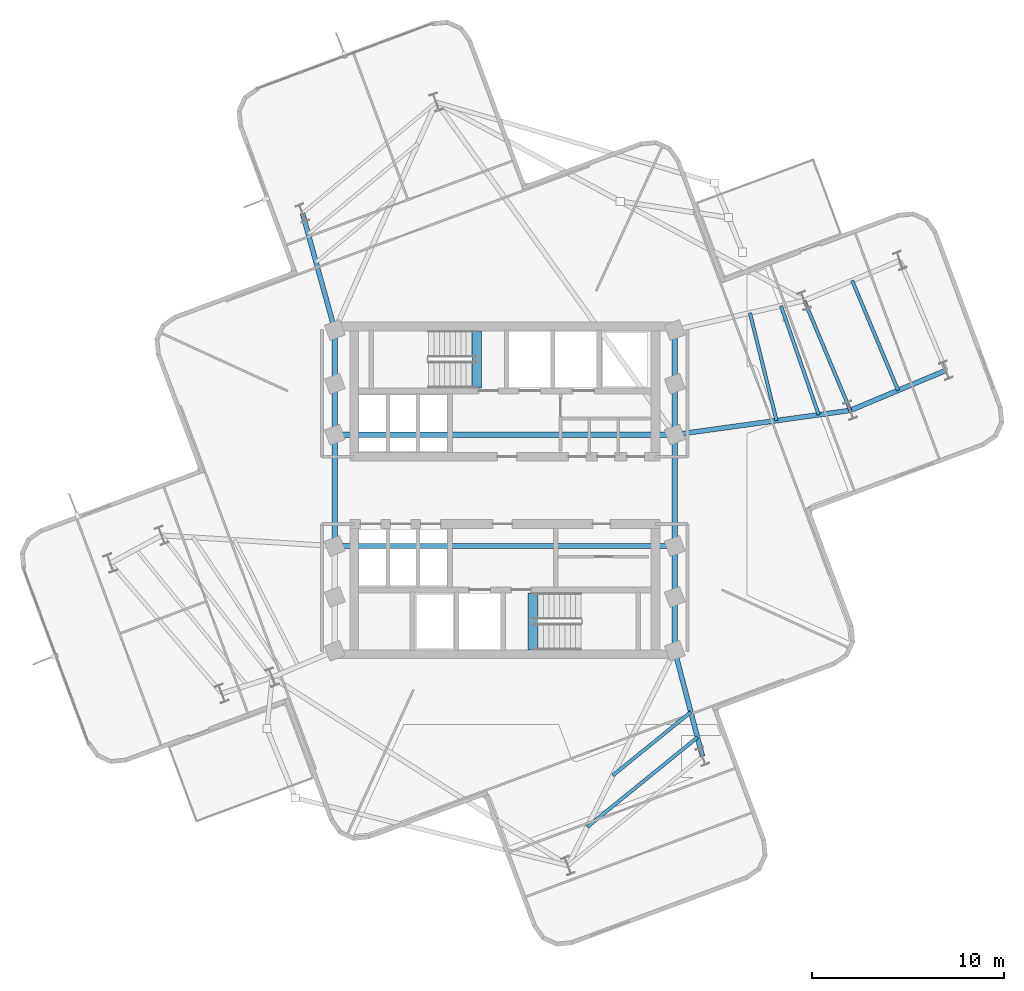
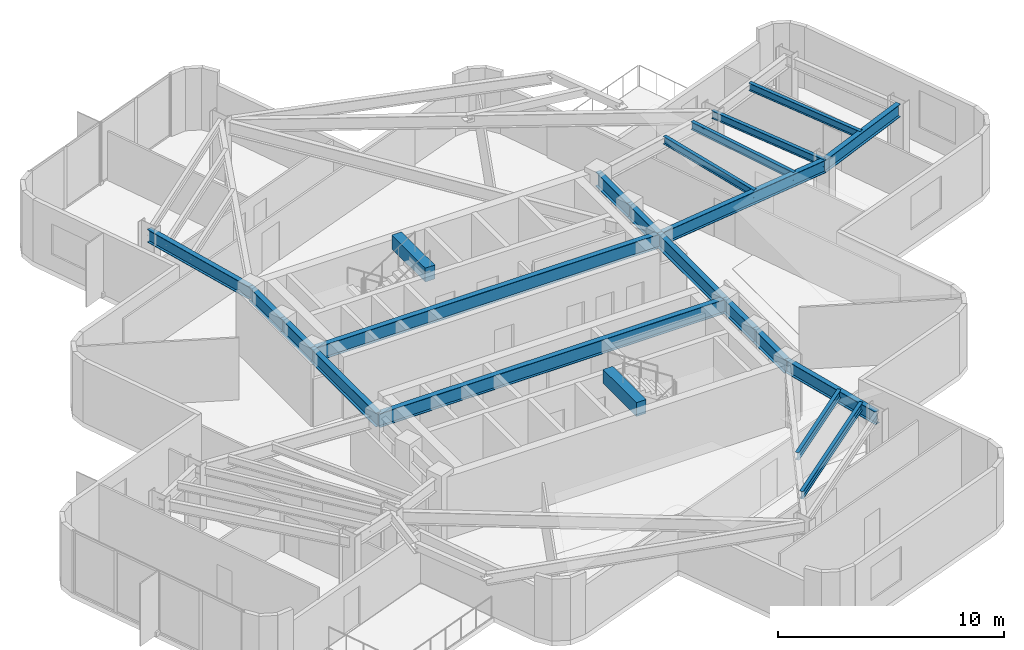
# One storey, part 3 of 11: 22 beams.
"""IFC4 building model written with IfcOpenShell, lengths in metres."""

from ifc_helpers import new_model, si_unit, direction, frame, origin, origin_2d, place, context, subcontext, project, spatial, rectangle, i_section, extrude, material, material_profile, profile_set, type_object, element, save


model = new_model("IFC4")

# Units and contexts
model_context = context("Model", 3, precision=1e-05, world=origin(), true_north=direction((0.0, 1.0)))
body_context = subcontext(model_context, "Body", "Model", "MODEL_VIEW")
ifc_project = project(units=[si_unit("LENGTHUNIT", "METRE"), si_unit("AREAUNIT", "SQUARE_METRE"), si_unit("VOLUMEUNIT", "CUBIC_METRE"), si_unit("PLANEANGLEUNIT", "RADIAN"), si_unit("MASSUNIT", "GRAM", prefix="KILO")], contexts=[model_context])

# Site, building, storey
site_placement = place(None, origin())
site = spatial("IfcSite", under=ifc_project, at=site_placement, CompositionType="ELEMENT")
building_placement = place(site_placement, origin())
building = spatial("IfcBuilding", under=site, at=building_placement, Name="Solmarez Civic Tower", CompositionType="ELEMENT")
storey_placement = place(building_placement, frame((0.0, 0.0, 170.280029296875)))
storey = spatial("IfcBuildingStorey", under=building, at=storey_placement, Name="L45", CompositionType="ELEMENT", Elevation=170.280029296875)

# Beams
ifc_material_1 = material(Name="Steel S355", Category="steel")
ifc_material_profile_1 = material_profile(ifc_material_1, i_section(OverallWidth=0.178955078125, OverallDepth=0.409912109375, WebThickness=0.0087890625, FlangeThickness=0.014404296875, at=origin_2d()), Name="W16X45")
ifc_profile_set_1 = profile_set([ifc_material_profile_1], Name="Steel S355")
beam_type_1 = type_object("IfcBeamType", Name="BM-JS-W16X45", PredefinedType="JOIST", material=ifc_profile_set_1)
beam_1_placement = place(storey_placement, frame((17.987060546875, 4.1640625, 3.135009765625), z_axis=(-0.386010282684, 0.922494477849, 0.0), x_axis=(-0.922494477849, -0.386010282684, 0.0)))
element("IfcBeam", 1, at=beam_1_placement, inside=storey, type_object=beam_type_1, Name="L45 Secondary Floor Joist BM-L45-EA-T1", PredefinedType="JOIST", context=body_context, shape_type="SweptSolid", body=[
    extrude(i_section(OverallWidth=0.178955078125, OverallDepth=0.409912109375, WebThickness=0.0087890625, FlangeThickness=0.014404296875, at=origin_2d()), origin(), (0.0, 0.0, 1.0), 6.199462890625),
])
beam_2_placement = place(storey_placement, frame((20.47705078125, 5.2060546875, 3.135009765625), z_axis=(-0.385876218946, 0.922550564279, 0.0), x_axis=(-0.922550564279, -0.385876218946, 0.0)))
element("IfcBeam", 2, at=beam_2_placement, inside=storey, type_object=beam_type_1, Name="L45 Secondary Floor Joist JS-L45-EA-M2", PredefinedType="JOIST", context=body_context, shape_type="SweptSolid", body=[
    extrude(i_section(OverallWidth=0.178955078125, OverallDepth=0.409912109375, WebThickness=0.0087890625, FlangeThickness=0.014404296875, at=origin_2d()), origin(), (0.0, 0.0, 1.0), 6.19921875),
])
beam_3_placement = place(storey_placement, frame((14.14892578125, 3.633056640625, 3.135009765625), z_axis=(-0.240167471374, 0.970731469405, 0.0), x_axis=(-0.970731469405, -0.240167471374, 0.0)))
element("IfcBeam", 3, at=beam_3_placement, inside=storey, type_object=beam_type_1, Name="L45 Secondary Floor Joist JS-L45-EA-M11", PredefinedType="JOIST", context=body_context, shape_type="SweptSolid", body=[
    extrude(i_section(OverallWidth=0.178955078125, OverallDepth=0.409912109375, WebThickness=0.0087890625, FlangeThickness=0.014404296875, at=origin_2d()), origin(), (0.0, 0.0, 1.0), 5.77490234375),
])
beam_4_placement = place(storey_placement, frame((16.342041015625, 3.93603515625, 3.135009765625), z_axis=(-0.326984797789, 0.945029598486, 0.0), x_axis=(-0.945029598486, -0.326984797789, 0.0)))
element("IfcBeam", 4, at=beam_4_placement, inside=storey, type_object=beam_type_1, Name="L45 Secondary Floor Joist JS-L45-EA-M12", PredefinedType="JOIST", context=body_context, shape_type="SweptSolid", body=[
    extrude(i_section(OverallWidth=0.178955078125, OverallDepth=0.409912109375, WebThickness=0.0087890625, FlangeThickness=0.014404296875, at=origin_2d()), origin(), (0.0, 0.0, 1.0), 6.000732421875),
])
beam_5_placement = place(storey_placement, frame((5.625, -14.837890625, 3.135009765625), z_axis=(0.776202509922, 0.630483674325, 0.0), x_axis=(-0.630483674325, 0.776202509922, 0.0)))
element("IfcBeam", 5, at=beam_5_placement, inside=storey, type_object=beam_type_1, Name="L45 Secondary Floor Joist JS-L45-SA-M11", PredefinedType="JOIST", context=body_context, shape_type="SweptSolid", body=[
    extrude(i_section(OverallWidth=0.178955078125, OverallDepth=0.409912109375, WebThickness=0.0087890625, FlangeThickness=0.014404296875, at=origin_2d()), origin(), (0.0, 0.0, 1.0), 5.230712890625),
])
beam_6_placement = place(storey_placement, frame((4.291015625, -17.52294921875, 3.135009765625), z_axis=(0.776173575786, 0.630519294115, 0.0), x_axis=(-0.630519294115, 0.776173575786, 0.0)))
element("IfcBeam", 6, at=beam_6_placement, inside=storey, type_object=beam_type_1, Name="L45 Secondary Floor Joist JS-L45-SA-M12", PredefinedType="JOIST", context=body_context, shape_type="SweptSolid", body=[
    extrude(i_section(OverallWidth=0.178955078125, OverallDepth=0.409912109375, WebThickness=0.0087890625, FlangeThickness=0.014404296875, at=origin_2d()), origin(), (0.0, 0.0, 1.0), 7.395263671875),
])
ifc_material_2 = material(Name="Concrete C50/60", Category="concrete")
ifc_material_profile_2 = material_profile(ifc_material_2, rectangle(XDim=0.5, YDim=0.75, at=origin_2d()), Name="RC500X750")
ifc_profile_set_2 = profile_set([ifc_material_profile_2], Name="Concrete C50/60")
beam_type_2 = type_object("IfcBeamType", Name="BM-PR-RC500X750", PredefinedType="BEAM", material=ifc_profile_set_2)
for number, where, z_axis, x_axis, name in (
    (7, (-1.449951171875, 5.340087890625, 3.23291015625), (0.0, 1.0, 0.0), (-1.0, 0.0, 0.0), "L45 North Stair Threshold Beam"),
    (8, (1.449951171875, -8.300048828125, 3.23291015625), (0.0, 1.0, 0.0), (-1.0, 0.0, 0.0), "L45 South Stair Threshold Beam"),
):
    element("IfcBeam", number, at=place(storey_placement, frame(where, z_axis=z_axis, x_axis=x_axis)), inside=storey, type_object=beam_type_2, Name=name, PredefinedType="BEAM", context=body_context, shape_type="SweptSolid", body=[
        extrude(rectangle(XDim=0.5, YDim=0.75, at=origin_2d()), origin(), (0.0, 0.0, 1.0), 2.9599609375),
    ])
ifc_material_profile_3 = material_profile(ifc_material_1, i_section(OverallWidth=0.25390625, OverallDepth=0.68798828125, WebThickness=0.01318359375, FlangeThickness=0.02099609375, at=origin_2d()), Name="W27X102")
ifc_profile_set_3 = profile_set([ifc_material_profile_3], Name="Steel S355")
beam_type_3 = type_object("IfcBeamType", Name="BM-PR-W27X102", PredefinedType="BEAM", material=ifc_profile_set_3)
beam_7_placement = place(storey_placement, frame((8.85009765625, 2.89990234375, 2.995849609375), z_axis=(0.990563968355, 0.137051175101, 0.0), x_axis=(-0.137051175101, 0.990563968355, 0.0)))
element("IfcBeam", 9, at=beam_7_placement, inside=storey, type_object=beam_type_3, Name="L45 Primary Floor Beam BM-L45-EA-R1A", PredefinedType="BEAM", context=body_context, shape_type="SweptSolid", body=[
    extrude(i_section(OverallWidth=0.25390625, OverallDepth=0.68798828125, WebThickness=0.01318359375, FlangeThickness=0.02099609375, at=origin_2d()), origin(), (0.0, 0.0, 1.0), 9.22412109375),
])
beam_8_placement = place(storey_placement, frame((17.987060546875, 4.1640625, 2.995849609375), z_axis=(0.922511388683, 0.385969866376, 0.0), x_axis=(-0.385969866376, 0.922511388683, 0.0)))
element("IfcBeam", 10, at=beam_8_placement, inside=storey, type_object=beam_type_3, Name="L45 Primary Floor Beam BM-L45-EA-R2A", PredefinedType="BEAM", context=body_context, shape_type="SweptSolid", body=[
    extrude(i_section(OverallWidth=0.25390625, OverallDepth=0.68798828125, WebThickness=0.01318359375, FlangeThickness=0.02099609375, at=origin_2d()), origin(), (0.0, 0.0, 1.0), 5.3994140625),
])
beam_9_placement = place(storey_placement, frame((-8.85009765625, 8.35009765625, 2.995849609375), z_axis=(-0.266634219494, 0.963797796737, 0.0), x_axis=(-0.963797796737, -0.266634219494, 0.0)))
element("IfcBeam", 11, at=beam_9_placement, inside=storey, type_object=beam_type_3, Name="L45 Primary Floor Beam BM-L45-NA-R1B", PredefinedType="BEAM", context=body_context, shape_type="SweptSolid", body=[
    extrude(i_section(OverallWidth=0.25390625, OverallDepth=0.68798828125, WebThickness=0.01318359375, FlangeThickness=0.02099609375, at=origin_2d()), origin(), (0.0, 0.0, 1.0), 6.3115234375),
])
beam_10_placement = place(storey_placement, frame((8.85009765625, -8.35009765625, 2.995849609375), z_axis=(0.253271365575, -0.967395273598, 0.0), x_axis=(0.967395273598, 0.253271365575, 0.0)))
element("IfcBeam", 12, at=beam_10_placement, inside=storey, type_object=beam_type_3, Name="L45 Primary Floor Beam BM-L45-SA-R1B", PredefinedType="BEAM", context=body_context, shape_type="SweptSolid", body=[
    extrude(i_section(OverallWidth=0.25390625, OverallDepth=0.68798828125, WebThickness=0.01318359375, FlangeThickness=0.02099609375, at=origin_2d()), origin(), (0.0, 0.0, 1.0), 5.685302734375),
])
ifc_material_profile_4 = material_profile(ifc_material_1, i_section(OverallWidth=0.26708984375, OverallDepth=0.761962890625, WebThickness=0.014404296875, FlangeThickness=0.021484375, at=origin_2d()), Name="W30X116")
ifc_profile_set_4 = profile_set([ifc_material_profile_4], Name="Steel S355")
beam_type_4 = type_object("IfcBeamType", Name="BM-PR-W30X116", PredefinedType="BEAM", material=ifc_profile_set_4)
beam_11_placement = place(storey_placement, frame((-8.85009765625, -2.89990234375, 2.958984375), z_axis=(0.0, 1.0, 0.0), x_axis=(-1.0, 0.0, 0.0)))
element("IfcBeam", 13, at=beam_11_placement, inside=storey, type_object=beam_type_4, Name="L45 Primary Floor Beam BM-L45-HC2-HC3", PredefinedType="BEAM", context=body_context, shape_type="SweptSolid", body=[
    extrude(i_section(OverallWidth=0.26708984375, OverallDepth=0.761962890625, WebThickness=0.014404296875, FlangeThickness=0.021484375, at=origin_2d()), origin(), (0.0, 0.0, 1.0), 5.7998046875),
])
beam_12_placement = place(storey_placement, frame((-8.85009765625, 2.89990234375, 2.958984375), z_axis=(0.0, 1.0, 0.0), x_axis=(-1.0, 0.0, 0.0)))
element("IfcBeam", 14, at=beam_12_placement, inside=storey, type_object=beam_type_4, Name="L45 Primary Floor Beam BM-L45-HC3-HC4", PredefinedType="BEAM", context=body_context, shape_type="SweptSolid", body=[
    extrude(i_section(OverallWidth=0.26708984375, OverallDepth=0.761962890625, WebThickness=0.014404296875, FlangeThickness=0.021484375, at=origin_2d()), origin(), (0.0, 0.0, 1.0), 2.650146484375),
])
for number, where, z_axis, x_axis, name in (
    (15, (-8.85009765625, 5.550048828125, 2.958984375), (0.0, 1.0, 0.0), (-1.0, 0.0, 0.0), "L45 Primary Floor Beam BM-L45-HC4-HC9"),
    (16, (8.85009765625, -8.35009765625, 2.958984375), (0.0, 1.0, 0.0), (-1.0, 0.0, 0.0), "L45 Primary Floor Beam BM-L45-HC10-HC5"),
):
    element("IfcBeam", number, at=place(storey_placement, frame(where, z_axis=z_axis, x_axis=x_axis)), inside=storey, type_object=beam_type_4, Name=name, PredefinedType="BEAM", context=body_context, shape_type="SweptSolid", body=[
        extrude(i_section(OverallWidth=0.26708984375, OverallDepth=0.761962890625, WebThickness=0.014404296875, FlangeThickness=0.021484375, at=origin_2d()), origin(), (0.0, 0.0, 1.0), 2.800048828125),
    ])
beam_13_placement = place(storey_placement, frame((8.85009765625, -5.550048828125, 2.958984375), z_axis=(0.0, 1.0, 0.0), x_axis=(-1.0, 0.0, 0.0)))
element("IfcBeam", 17, at=beam_13_placement, inside=storey, type_object=beam_type_4, Name="L45 Primary Floor Beam BM-L45-HC5-HC6", PredefinedType="BEAM", context=body_context, shape_type="SweptSolid", body=[
    extrude(i_section(OverallWidth=0.26708984375, OverallDepth=0.761962890625, WebThickness=0.014404296875, FlangeThickness=0.021484375, at=origin_2d()), origin(), (0.0, 0.0, 1.0), 2.650146484375),
])
beam_14_placement = place(storey_placement, frame((8.85009765625, -2.89990234375, 2.958984375), z_axis=(0.0, 1.0, 0.0), x_axis=(-1.0, 0.0, 0.0)))
element("IfcBeam", 18, at=beam_14_placement, inside=storey, type_object=beam_type_4, Name="L45 Primary Floor Beam BM-L45-HC6-HC7", PredefinedType="BEAM", context=body_context, shape_type="SweptSolid", body=[
    extrude(i_section(OverallWidth=0.26708984375, OverallDepth=0.761962890625, WebThickness=0.014404296875, FlangeThickness=0.021484375, at=origin_2d()), origin(), (0.0, 0.0, 1.0), 5.7998046875),
])
beam_15_placement = place(storey_placement, frame((8.85009765625, 2.89990234375, 2.958984375), z_axis=(0.0, 1.0, 0.0), x_axis=(-1.0, 0.0, 0.0)))
element("IfcBeam", 19, at=beam_15_placement, inside=storey, type_object=beam_type_4, Name="L45 Primary Floor Beam BM-L45-HC7-HC8", PredefinedType="BEAM", context=body_context, shape_type="SweptSolid", body=[
    extrude(i_section(OverallWidth=0.26708984375, OverallDepth=0.761962890625, WebThickness=0.014404296875, FlangeThickness=0.021484375, at=origin_2d()), origin(), (0.0, 0.0, 1.0), 2.650146484375),
])
beam_16_placement = place(storey_placement, frame((8.85009765625, 5.550048828125, 2.958984375), z_axis=(0.0, 1.0, 0.0), x_axis=(-1.0, 0.0, 0.0)))
element("IfcBeam", 20, at=beam_16_placement, inside=storey, type_object=beam_type_4, Name="L45 Primary Floor Beam BM-L45-HC8-HC11", PredefinedType="BEAM", context=body_context, shape_type="SweptSolid", body=[
    extrude(i_section(OverallWidth=0.26708984375, OverallDepth=0.761962890625, WebThickness=0.014404296875, FlangeThickness=0.021484375, at=origin_2d()), origin(), (0.0, 0.0, 1.0), 2.800048828125),
])
for number, where, z_axis, x_axis, name in (
    (21, (-8.85009765625, -2.89990234375, 2.958984375), (1.0, 0.0, 0.0), (0.0, 1.0, 0.0), "L45 Primary Floor Beam BM-L45-HC2-HC6"),
    (22, (-8.85009765625, 2.89990234375, 2.958984375), (1.0, 0.0, 0.0), (0.0, 1.0, 0.0), "L45 Primary Floor Beam BM-L45-HC3-HC7"),
):
    element("IfcBeam", number, at=place(storey_placement, frame(where, z_axis=z_axis, x_axis=x_axis)), inside=storey, type_object=beam_type_4, Name=name, PredefinedType="BEAM", context=body_context, shape_type="SweptSolid", body=[
        extrude(i_section(OverallWidth=0.26708984375, OverallDepth=0.761962890625, WebThickness=0.014404296875, FlangeThickness=0.021484375, at=origin_2d()), origin(), (0.0, 0.0, 1.0), 17.7001953125),
    ])

save(model, "model.ifc")
